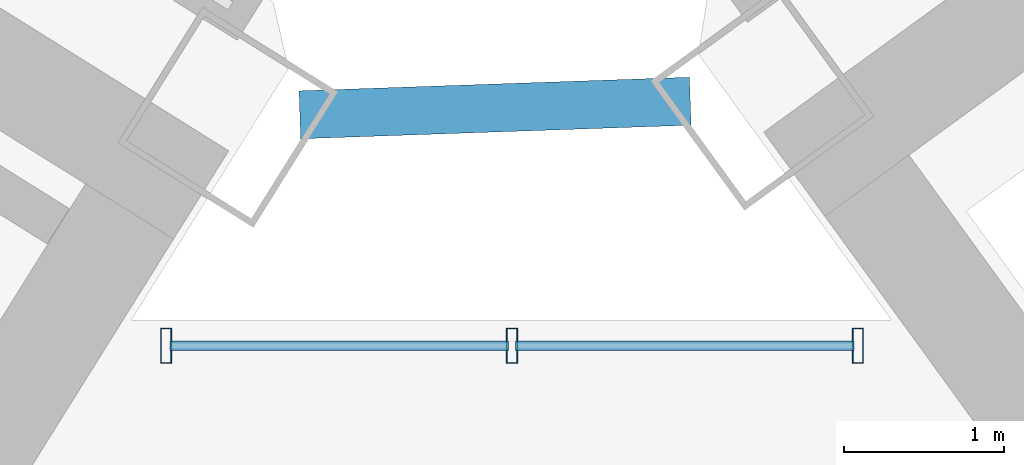
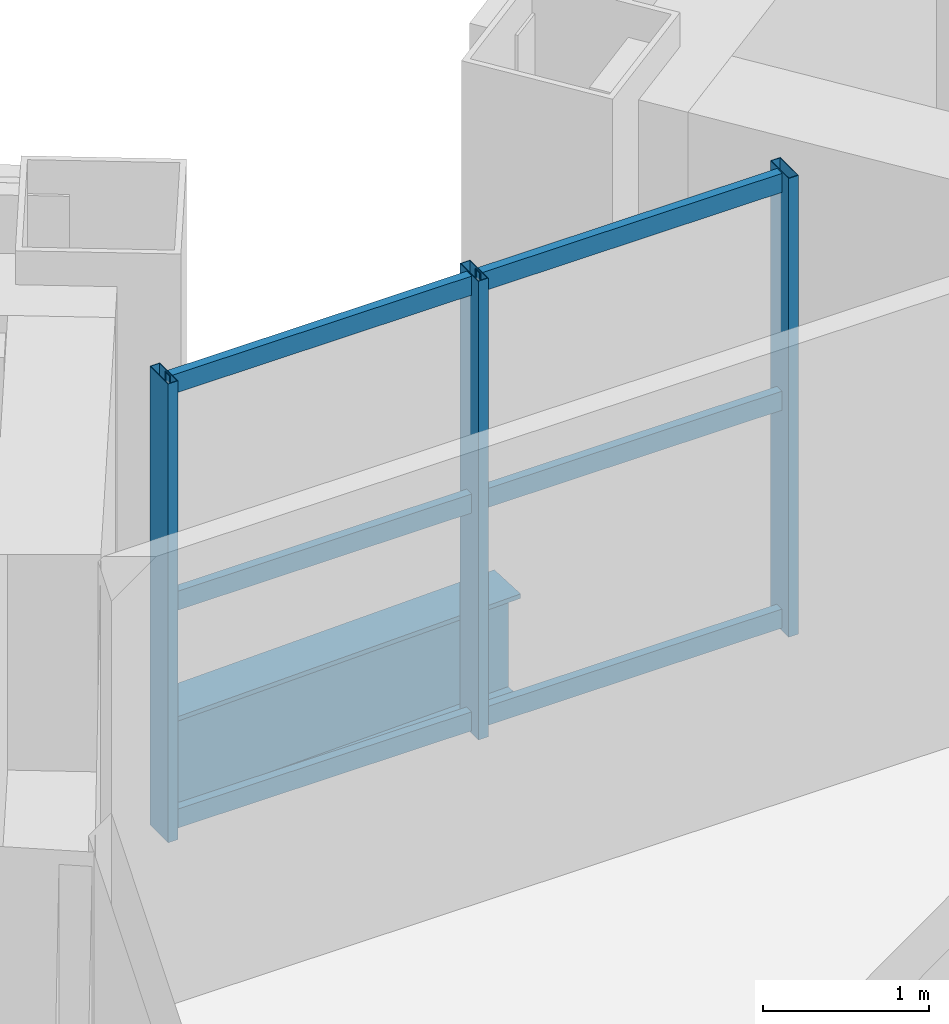
# One storey, part 11 of 28: 9 members, 1 beam, 1 element without a shape of its own.
"""IFC4 building model written with IfcOpenShell, lengths in metres."""

from ifc_helpers import new_model, si_unit, direction, frame, origin, origin_2d, place, context, subcontext, project, spatial, hollow_rectangle, i_section, extrude, source, transform, mapped, material, material_profile, profile_set, type_object, element, aggregate, save


model = new_model("IFC4")

# Units and contexts
model_context = context("Model", 3, precision=1e-05, world=origin(), true_north=direction((0.0, 1.0)))
body_context = subcontext(model_context, "Body", "Model", "MODEL_VIEW")
ifc_project = project(units=[si_unit("LENGTHUNIT", "METRE"), si_unit("AREAUNIT", "SQUARE_METRE"), si_unit("VOLUMEUNIT", "CUBIC_METRE"), si_unit("PLANEANGLEUNIT", "RADIAN"), si_unit("MASSUNIT", "GRAM", prefix="KILO")], contexts=[model_context])

# Site, building, storey
site_placement = place(None, origin())
site = spatial("IfcSite", under=ifc_project, at=site_placement, CompositionType="ELEMENT")
building_placement = place(site_placement, origin())
building = spatial("IfcBuilding", under=site, at=building_placement, Name="Tlacorven Tower", CompositionType="ELEMENT")
storey_placement = place(building_placement, frame((0.0, 0.0, 63.60009765625)))
storey = spatial("IfcBuildingStorey", under=building, at=storey_placement, Name="L16", CompositionType="ELEMENT", Elevation=63.60009765625)

# Beam
ifc_material_1 = material(Name="Steel S355J2", Category="steel")
ifc_material_profile_1 = material_profile(ifc_material_1, i_section(OverallWidth=0.300048828125, OverallDepth=0.800048828125, WebThickness=0.017578125, FlangeThickness=0.032958984375, at=origin_2d()), Name="HEB 800")
ifc_profile_set_1 = profile_set([ifc_material_profile_1], Name="Steel S355J2")
beam_type = type_object("IfcBeamType", Name="BM-POD-800", PredefinedType="BEAM", material=ifc_profile_set_1)
shared_shape_1 = source(origin(), body_context, "Body", "SweptSolid", [
    extrude(i_section(OverallWidth=0.300048828125, OverallDepth=0.800048828125, WebThickness=0.017578125, FlangeThickness=0.032958984375, at=origin_2d()), origin(), (0.0, 0.0, 1.0), 2.44287109375),
])
beam_placement = place(storey_placement, frame((41.232666015625, 24.484130859375, -0.650146484375), z_axis=(0.999391550767, 0.034878765122, 0.0), x_axis=(-0.034878765122, 0.999391550767, 0.0)))
element("IfcBeam", 1, at=beam_placement, inside=storey, type_object=beam_type, Name="L16 Knuckle Link Girder 1", PredefinedType="BEAM", context=body_context, shape_type="MappedRepresentation", body=[
    mapped(shared_shape_1, transform((0.0, 0.0, 0.0), scale=1.0)),
])

# Curtain wall, members
ifc_material_2 = material(Name="Dark solar low-E double glazing in aluminium frame", Category="aluminium")
curtain_wall_type = type_object("IfcCurtainWallType", Name="CW-TWR-LOW", PredefinedType="USERDEFINED", material=ifc_material_2)
curtain_wall_placement = place(storey_placement, origin())
curtain_wall = element("IfcCurtainWall", 2, at=curtain_wall_placement, inside=storey, type_object=curtain_wall_type, Name="L16 CW-TWR-LOW Curtain Wall 92", ObjectType="UNITISED CURTAIN WALL", PredefinedType="USERDEFINED")
ifc_material_3 = material(Name="Aluminium 6063-T6 anodised", Category="aluminium")
ifc_material_profile_2 = material_profile(ifc_material_3, hollow_rectangle(XDim=0.06005859375, YDim=0.139892578125, WallThickness=0.00390625, at=origin_2d()), Name="ALU TRANSOM 60X140")
ifc_profile_set_2 = profile_set([ifc_material_profile_2], Name="Aluminium 6063-T6 anodised")
member_type_1 = type_object("IfcMemberType", Name="CWT-02", PredefinedType="USERDEFINED", material=ifc_profile_set_2)
shared_shape_2 = source(origin(), body_context, "Body", "SweptSolid", [
    extrude(hollow_rectangle(XDim=0.06005859375, YDim=0.139892578125, WallThickness=0.00390625, at=origin_2d()), origin(), (0.0, 0.0, 1.0), 2.116455078125),
])
member_1_placement = place(storey_placement, frame((40.419921875, 23.0400390625, 0.06982421875), z_axis=(1.0, 0.0, 0.0), x_axis=(0.0, 1.0, 0.0)))
member_1 = element("IfcMember", 3, at=member_1_placement, type_object=member_type_1, Name="CW-L16-092 Transom 1", ObjectType="TRANSOM", PredefinedType="USERDEFINED", context=body_context, shape_type="MappedRepresentation", body=[
    mapped(shared_shape_2, transform((0.0, 0.0, 0.0), scale=1.0)),
])
member_2_placement = place(storey_placement, frame((40.419921875, 23.0400390625, 1.6748046875), z_axis=(1.0, 0.0, 0.0), x_axis=(0.0, 1.0, 0.0)))
member_2 = element("IfcMember", 4, at=member_2_placement, type_object=member_type_1, Name="CW-L16-092 Transom 2", ObjectType="TRANSOM", PredefinedType="USERDEFINED", context=body_context, shape_type="MappedRepresentation", body=[
    mapped(shared_shape_2, transform((0.0, 0.0, 0.0), scale=1.0)),
])
member_3_placement = place(storey_placement, frame((40.419921875, 23.0400390625, 3.27978515625), z_axis=(1.0, 0.0, 0.0), x_axis=(0.0, 1.0, 0.0)))
member_3 = element("IfcMember", 5, at=member_3_placement, type_object=member_type_1, Name="CW-L16-092 Transom 3", ObjectType="TRANSOM", PredefinedType="USERDEFINED", context=body_context, shape_type="MappedRepresentation", body=[
    mapped(shared_shape_2, transform((0.0, 0.0, 0.0), scale=1.0)),
])
shared_shape_3 = source(origin(), body_context, "Body", "SweptSolid", [
    extrude(hollow_rectangle(XDim=0.06005859375, YDim=0.139892578125, WallThickness=0.00390625, at=origin_2d()), origin(), (0.0, 0.0, 1.0), 2.11669921875),
])
member_4_placement = place(storey_placement, frame((42.582275390625, 23.0400390625, 0.06982421875), z_axis=(1.0, 0.0, 0.0), x_axis=(0.0, 1.0, 0.0)))
member_4 = element("IfcMember", 6, at=member_4_placement, type_object=member_type_1, Name="CW-L16-092 Transom 4", ObjectType="TRANSOM", PredefinedType="USERDEFINED", context=body_context, shape_type="MappedRepresentation", body=[
    mapped(shared_shape_3, transform((0.0, 0.0, 0.0), scale=1.0)),
])
member_5_placement = place(storey_placement, frame((42.582275390625, 23.0400390625, 1.6748046875), z_axis=(1.0, 0.0, 0.0), x_axis=(0.0, 1.0, 0.0)))
member_5 = element("IfcMember", 7, at=member_5_placement, type_object=member_type_1, Name="CW-L16-092 Transom 5", ObjectType="TRANSOM", PredefinedType="USERDEFINED", context=body_context, shape_type="MappedRepresentation", body=[
    mapped(shared_shape_3, transform((0.0, 0.0, 0.0), scale=1.0)),
])
member_6_placement = place(storey_placement, frame((42.582275390625, 23.0400390625, 3.27978515625), z_axis=(1.0, 0.0, 0.0), x_axis=(0.0, 1.0, 0.0)))
member_6 = element("IfcMember", 8, at=member_6_placement, type_object=member_type_1, Name="CW-L16-092 Transom 6", ObjectType="TRANSOM", PredefinedType="USERDEFINED", context=body_context, shape_type="MappedRepresentation", body=[
    mapped(shared_shape_3, transform((0.0, 0.0, 0.0), scale=1.0)),
])
ifc_material_profile_3 = material_profile(ifc_material_3, hollow_rectangle(XDim=0.070068359375, YDim=0.219970703125, WallThickness=0.0048828125, at=origin_2d()), Name="ALU MULLION 70X220")
ifc_profile_set_3 = profile_set([ifc_material_profile_3], Name="Aluminium 6063-T6 anodised")
member_type_2 = type_object("IfcMemberType", Name="CWM-01", PredefinedType="MULLION", material=ifc_profile_set_3)
shared_shape_4 = source(origin(), body_context, "Body", "SweptSolid", [
    extrude(hollow_rectangle(XDim=0.070068359375, YDim=0.219970703125, WallThickness=0.0048828125, at=origin_2d()), origin(), (0.0, 0.0, 1.0), 3.3798828125),
])
member_7_placement = place(storey_placement, frame((40.396728515625, 23.0400390625, -0.02001953125), z_axis=(0.0, 0.0, 1.0), x_axis=(1.0, 0.0, 0.0)))
member_7 = element("IfcMember", 9, at=member_7_placement, type_object=member_type_2, Name="CW-L16-092 Mullion 1", PredefinedType="MULLION", context=body_context, shape_type="MappedRepresentation", body=[
    mapped(shared_shape_4, transform((0.0, 0.0, 0.0), scale=1.0)),
])
member_8_placement = place(storey_placement, frame((42.559326171875, 23.0400390625, -0.02001953125), z_axis=(0.0, 0.0, 1.0), x_axis=(1.0, 0.0, 0.0)))
member_8 = element("IfcMember", 10, at=member_8_placement, type_object=member_type_2, Name="CW-L16-092 Mullion 2", PredefinedType="MULLION", context=body_context, shape_type="MappedRepresentation", body=[
    mapped(shared_shape_4, transform((0.0, 0.0, 0.0), scale=1.0)),
])
member_9_placement = place(storey_placement, frame((44.721923828125, 23.0400390625, -0.02001953125), z_axis=(0.0, 0.0, 1.0), x_axis=(1.0, 0.0, 0.0)))
member_9 = element("IfcMember", 11, at=member_9_placement, type_object=member_type_2, Name="CW-L16-092 Mullion 3", PredefinedType="MULLION", context=body_context, shape_type="MappedRepresentation", body=[
    mapped(shared_shape_4, transform((0.0, 0.0, 0.0), scale=1.0)),
])
aggregate(curtain_wall, [member_7, member_8, member_9, member_1, member_2, member_3, member_4, member_5, member_6])

save(model, "model.ifc")
